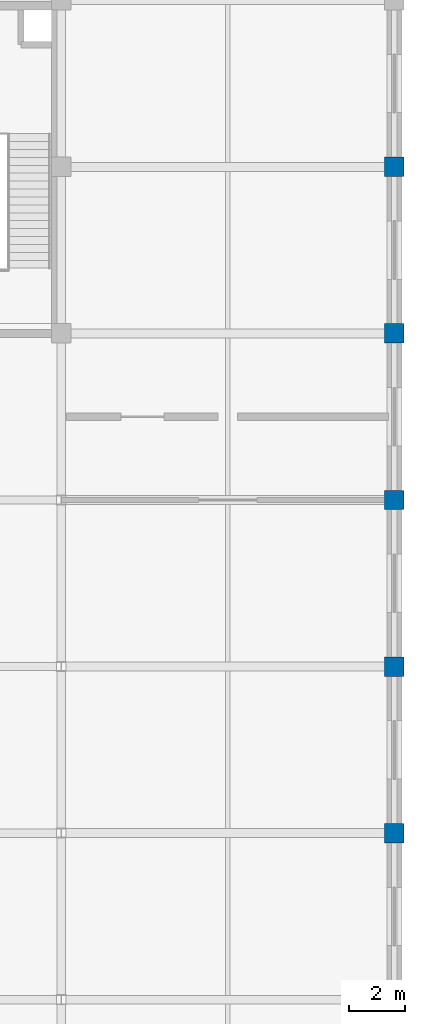
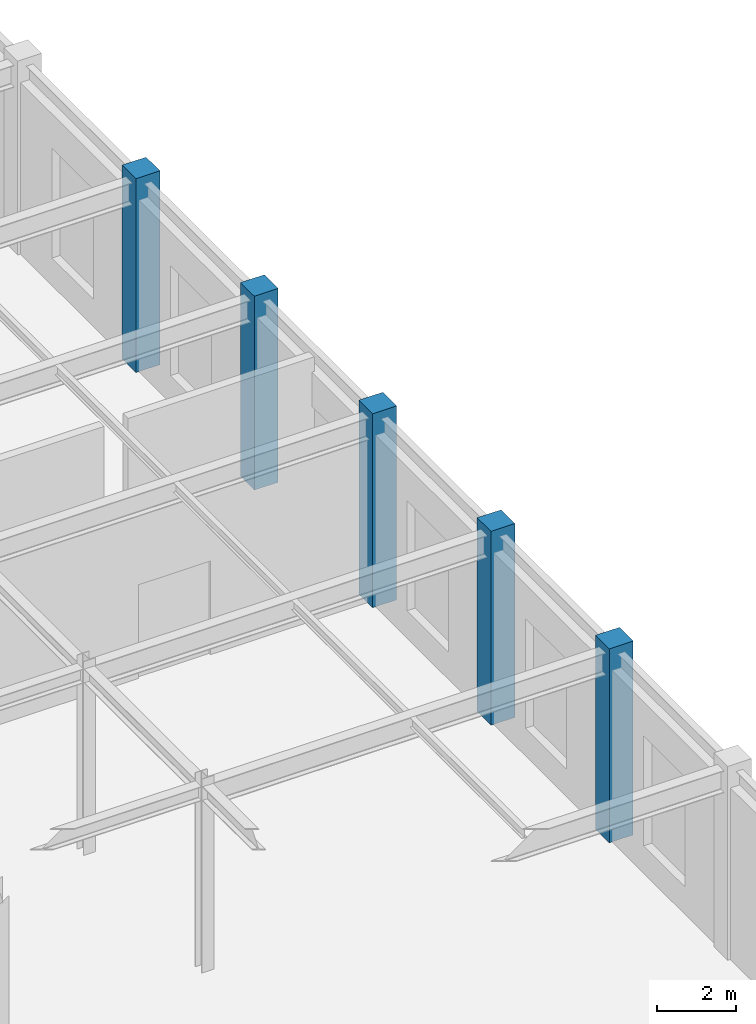
# One storey, part 26 of 51: 5 columns.
"""IFC4 building model written with IfcOpenShell, lengths in metres."""

from ifc_helpers import new_model, si_unit, direction, frame, origin, origin_2d, place, context, subcontext, project, spatial, rectangle, extrude, material, material_profile, profile_set, type_object, element, save


model = new_model("IFC4")

# Units and contexts
model_context = context("Model", 3, precision=1e-05, world=origin(), true_north=direction((0.0, 1.0)))
body_context = subcontext(model_context, "Body", "Model", "MODEL_VIEW")
ifc_project = project(units=[si_unit("LENGTHUNIT", "METRE"), si_unit("AREAUNIT", "SQUARE_METRE"), si_unit("VOLUMEUNIT", "CUBIC_METRE"), si_unit("PLANEANGLEUNIT", "RADIAN"), si_unit("MASSUNIT", "GRAM", prefix="KILO")], contexts=[model_context])

# Site, building, storey
site_placement = place(None, origin())
site = spatial("IfcSite", under=ifc_project, at=site_placement, CompositionType="ELEMENT")
building_placement = place(site_placement, origin())
building = spatial("IfcBuilding", under=site, at=building_placement, Name="Zlatovratsky Civic Hall", CompositionType="ELEMENT")
storey_placement = place(building_placement, origin())
storey = spatial("IfcBuildingStorey", under=building, at=storey_placement, Name="L01", CompositionType="ELEMENT", Elevation=0.0)

# Columns
ifc_material = material(Name="Concrete C35/45 (B40)", Category="concrete")
ifc_material_profile = material_profile(ifc_material, rectangle(XDim=0.699951171875, YDim=0.699951171875, at=origin_2d()), Name="RC 700x700")
ifc_profile_set = profile_set([ifc_material_profile], Name="Concrete C35/45 (B40)")
column_type = type_object("IfcColumnType", Name="Col_CorePier_RC700", PredefinedType="COLUMN", material=ifc_profile_set)
for number, where, z_axis, x_axis, name in (
    (1, (168.0, 66.0, 0.0), (0.0, 0.0, 1.0), (1.0, 0.0, 0.0), "CL-0637"),
    (2, (168.0, 72.0, 0.0), (0.0, 0.0, 1.0), (1.0, 0.0, 0.0), "CL-0660"),
    (3, (168.0, 78.0, 0.0), (0.0, 0.0, 1.0), (1.0, 0.0, 0.0), "CL-0683"),
    (4, (168.0, 84.0, 0.0), (0.0, 0.0, 1.0), (1.0, 0.0, 0.0), "CL-0706"),
    (5, (168.0, 90.0, 0.0), (0.0, 0.0, 1.0), (1.0, 0.0, 0.0), "CL-0729"),
):
    element("IfcColumn", number, at=place(storey_placement, frame(where, z_axis=z_axis, x_axis=x_axis)), inside=storey, type_object=column_type, Name=name, PredefinedType="COLUMN", context=body_context, shape_type="SweptSolid", body=[
        extrude(rectangle(XDim=0.699951171875, YDim=0.699951171875, at=origin_2d()), origin(), (0.0, 0.0, 1.0), 6.0),
    ])

save(model, "model.ifc")
